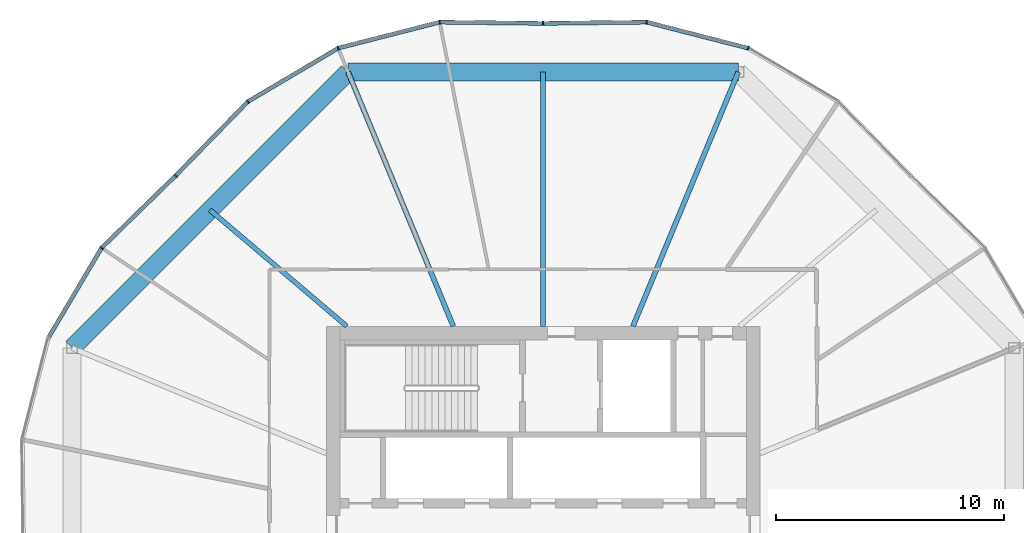
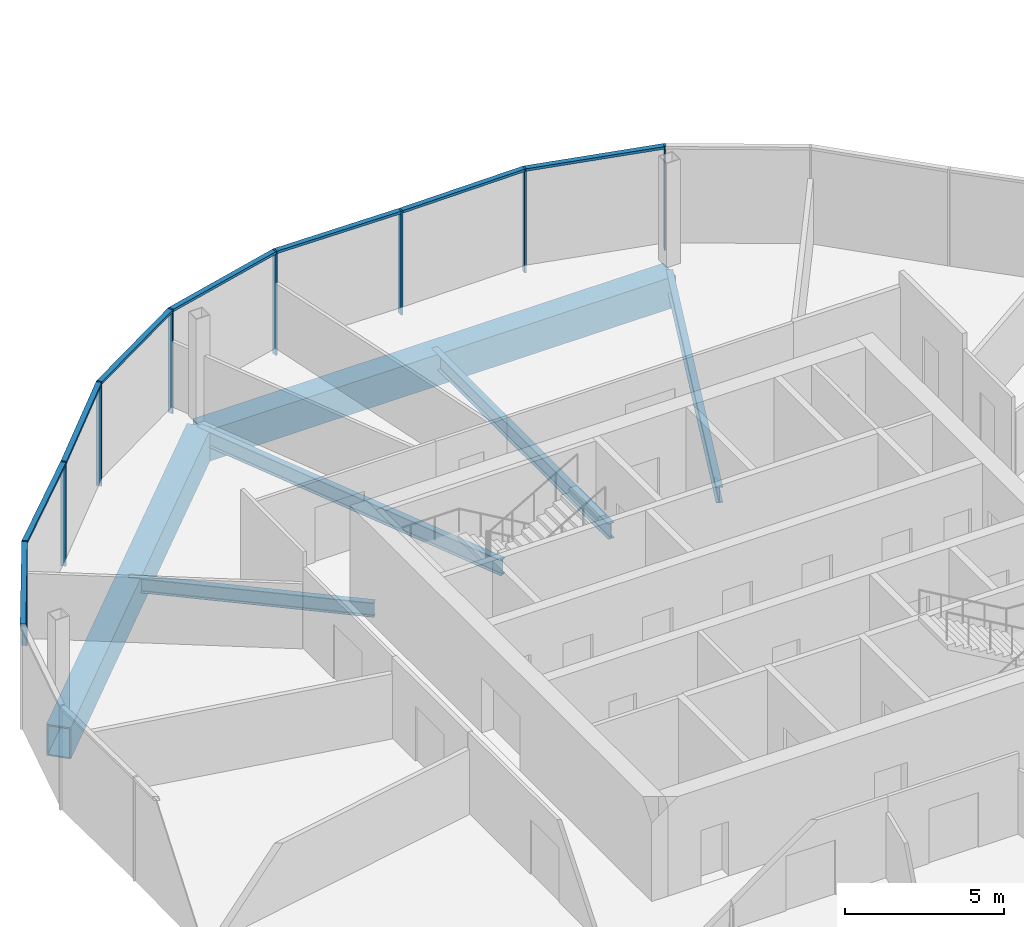
# One storey, part 9 of 25: 16 members, 6 beams, 3 elements without a shape of their own.
"""IFC4 building model written with IfcOpenShell, lengths in metres."""

from ifc_helpers import new_model, si_unit, direction, frame, origin, origin_2d, place, context, subcontext, project, spatial, rectangle, hollow_rectangle, i_section, extrude, material, material_profile, profile_set, type_object, element, aggregate, save


model = new_model("IFC4")

# Units and contexts
model_context = context("Model", 3, precision=1e-05, world=origin(), true_north=direction((0.0, 1.0)))
body_context = subcontext(model_context, "Body", "Model", "MODEL_VIEW")
ifc_project = project(units=[si_unit("LENGTHUNIT", "METRE"), si_unit("AREAUNIT", "SQUARE_METRE"), si_unit("VOLUMEUNIT", "CUBIC_METRE"), si_unit("PLANEANGLEUNIT", "RADIAN"), si_unit("MASSUNIT", "GRAM", prefix="KILO")], contexts=[model_context])

# Site, building, storey
site_placement = place(None, origin())
site = spatial("IfcSite", under=ifc_project, at=site_placement, CompositionType="ELEMENT")
building_placement = place(site_placement, origin())
building = spatial("IfcBuilding", under=site, at=building_placement, Name="Ogive Gate Towers", CompositionType="ELEMENT")
storey_placement = place(building_placement, frame((0.0, 0.0, 140.800048828125)))
storey = spatial("IfcBuildingStorey", under=building, at=storey_placement, Name="L33", CompositionType="ELEMENT", Elevation=140.800048828125)

# Beams
ifc_material_1 = material(Name="Steel SM460", Category="steel")
ifc_material_profile_1 = material_profile(ifc_material_1, hollow_rectangle(XDim=0.800048828125, YDim=1.199951171875, WallThickness=0.050048828125, at=origin_2d()), Name="BX 1200x800x50")
ifc_profile_set_1 = profile_set([ifc_material_profile_1], Name="Steel SM460")
beam_type_1 = type_object("IfcBeamType", Name="Edge girder BX 1200x800x50", PredefinedType="BEAM", material=ifc_profile_set_1)
beam_1_placement = place(storey_placement, frame((-27.450927734375, 20.639404296875, -0.900146484375), z_axis=(-1.0, 0.0, 0.0), x_axis=(0.0, -1.0, 0.0)))
element("IfcBeam", 1, at=beam_1_placement, inside=storey, type_object=beam_type_1, Name="T1/L33/SBM022", PredefinedType="BEAM", context=body_context, shape_type="SweptSolid", body=[
    extrude(hollow_rectangle(XDim=0.800048828125, YDim=1.199951171875, WallThickness=0.050048828125, at=origin_2d()), origin(), (0.0, 0.0, 1.0), 17.09814453125),
])
beam_2_placement = place(storey_placement, frame((-44.549072265625, 20.639404296875, -0.900146484375), z_axis=(-0.707106781187, -0.707106781187, 0.0), x_axis=(0.707106781187, -0.707106781187, 0.0)))
element("IfcBeam", 2, at=beam_2_placement, inside=storey, type_object=beam_type_1, Name="T1/L33/SBM023", PredefinedType="BEAM", context=body_context, shape_type="SweptSolid", body=[
    extrude(hollow_rectangle(XDim=0.800048828125, YDim=1.199951171875, WallThickness=0.050048828125, at=origin_2d()), origin(), (0.0, 0.0, 1.0), 17.098388671875),
])
ifc_material_2 = material(Name="Steel SM355", Category="steel")
ifc_material_profile_2 = material_profile(ifc_material_2, i_section(OverallWidth=0.2099609375, OverallDepth=0.550048828125, WebThickness=0.010986328125, FlangeThickness=0.01708984375, FilletRadius=0.02392578125, at=origin_2d()), Name="IPE 550")
ifc_profile_set_2 = profile_set([ifc_material_profile_2], Name="Steel SM355")
beam_type_2 = type_object("IfcBeamType", Name="Radial floor beam IPE 550", PredefinedType="BEAM", material=ifc_profile_set_2)
beam_3_placement = place(storey_placement, frame((-44.60009765625, 9.5, -0.574951171875), z_axis=(-0.761988324045, 0.647590761222, 0.0), x_axis=(-0.647590761222, -0.761988324045, 0.0)))
element("IfcBeam", 3, at=beam_3_placement, inside=storey, type_object=beam_type_2, Name="T1/L33/SBM014", PredefinedType="BEAM", context=body_context, shape_type="SweptSolid", body=[
    extrude(i_section(OverallWidth=0.2099609375, OverallDepth=0.550048828125, WebThickness=0.010986328125, FlangeThickness=0.01708984375, FilletRadius=0.02392578125, at=origin_2d()), origin(), (0.0, 0.0, 1.0), 7.866455078125),
])
ifc_material_profile_3 = material_profile(ifc_material_2, i_section(OverallWidth=0.219970703125, OverallDepth=0.60009765625, WebThickness=0.011962890625, FlangeThickness=0.01904296875, FilletRadius=0.02392578125, at=origin_2d()), Name="IPE 600")
ifc_profile_set_3 = profile_set([ifc_material_profile_3], Name="Steel SM355")
beam_type_3 = type_object("IfcBeamType", Name="Radial floor beam IPE 600", PredefinedType="BEAM", material=ifc_profile_set_3)
beam_4_placement = place(storey_placement, frame((-32.06494140625, 9.5, -0.60009765625), z_axis=(0.382677863518, 0.923881839184, 0.0), x_axis=(-0.923881839184, 0.382677863518, 0.0)))
element("IfcBeam", 4, at=beam_4_placement, inside=storey, type_object=beam_type_3, Name="T1/L33/SBM011", PredefinedType="BEAM", context=body_context, shape_type="SweptSolid", body=[
    extrude(i_section(OverallWidth=0.219970703125, OverallDepth=0.60009765625, WebThickness=0.011962890625, FlangeThickness=0.01904296875, FilletRadius=0.02392578125, at=origin_2d()), origin(), (0.0, 0.0, 1.0), 12.05712890625),
])
beam_5_placement = place(storey_placement, frame((-36.0, 9.5, -0.60009765625), z_axis=(0.0, 1.0, 0.0), x_axis=(-1.0, 0.0, 0.0)))
element("IfcBeam", 5, at=beam_5_placement, inside=storey, type_object=beam_type_3, Name="T1/L33/SBM012", PredefinedType="BEAM", context=body_context, shape_type="SweptSolid", body=[
    extrude(i_section(OverallWidth=0.219970703125, OverallDepth=0.60009765625, WebThickness=0.011962890625, FlangeThickness=0.01904296875, FilletRadius=0.02392578125, at=origin_2d()), origin(), (0.0, 0.0, 1.0), 11.139404296875),
])
beam_6_placement = place(storey_placement, frame((-39.93505859375, 9.5, -0.60009765625), z_axis=(-0.382677863518, 0.923881839184, 0.0), x_axis=(-0.923881839184, -0.382677863518, 0.0)))
element("IfcBeam", 6, at=beam_6_placement, inside=storey, type_object=beam_type_3, Name="T1/L33/SBM013", PredefinedType="BEAM", context=body_context, shape_type="SweptSolid", body=[
    extrude(i_section(OverallWidth=0.219970703125, OverallDepth=0.60009765625, WebThickness=0.011962890625, FlangeThickness=0.01904296875, FilletRadius=0.02392578125, at=origin_2d()), origin(), (0.0, 0.0, 1.0), 12.05712890625),
])

# Curtain wall, members
ifc_material_3 = material(Name="Pale metal aluminium", Category="aluminium")
curtain_wall_type = type_object("IfcCurtainWallType", Name="Tower unitised wall, high zone", PredefinedType="NOTDEFINED", material=ifc_material_3)
curtain_wall_1_placement = place(storey_placement, origin())
curtain_wall_1 = element("IfcCurtainWall", 7, at=curtain_wall_1_placement, inside=storey, type_object=curtain_wall_type, Name="CW2 T1 ECW02", PredefinedType="NOTDEFINED")
ifc_material_profile_4 = material_profile(ifc_material_3, rectangle(XDim=0.179931640625, YDim=0.06005859375, at=origin_2d()), Name="60 x 180 aluminium box")
ifc_profile_set_4 = profile_set([ifc_material_profile_4], Name="Pale metal aluminium")
member_type_1 = type_object("IfcMemberType", Name="Tower unitised wall, high zone mullion 60 x 180", PredefinedType="MULLION", material=ifc_profile_set_4)
member_1_placement = place(storey_placement, frame((-27.01806640625, 21.684326171875, -0.300048828125), z_axis=(0.0, 0.0, 1.0), x_axis=(0.382683432365, 0.923879532511, 0.0)))
member_1 = element("IfcMember", 8, at=member_1_placement, type_object=member_type_1, Name="CW2 mullion", PredefinedType="MULLION", context=body_context, shape_type="SweptSolid", body=[
    extrude(rectangle(XDim=0.179931640625, YDim=0.06005859375, at=origin_2d()), origin(), (0.0, 0.0, 1.0), 4.0),
])
member_2_placement = place(storey_placement, frame((-31.467041015625, 22.824951171875, -0.300048828125), z_axis=(0.0, 0.0, 1.0), x_axis=(0.119149147143, 0.992876367296, 0.0)))
member_2 = element("IfcMember", 9, at=member_2_placement, type_object=member_type_1, Name="CW2 mullion", PredefinedType="MULLION", context=body_context, shape_type="SweptSolid", body=[
    extrude(rectangle(XDim=0.179931640625, YDim=0.06005859375, at=origin_2d()), origin(), (0.0, 0.0, 1.0), 4.0),
])
member_3_placement = place(storey_placement, frame((-36.0, 22.77001953125, -0.300048828125), z_axis=(0.0, 0.0, 1.0), x_axis=(-0.012077384797, 0.999927065729, 0.0)))
member_3 = element("IfcMember", 10, at=member_3_placement, type_object=member_type_1, Name="CW2 mullion", PredefinedType="MULLION", context=body_context, shape_type="SweptSolid", body=[
    extrude(rectangle(XDim=0.179931640625, YDim=0.06005859375, at=origin_2d()), origin(), (0.0, 0.0, 1.0), 4.0),
])

curtain_wall_2_placement = place(storey_placement, origin())
curtain_wall_2 = element("IfcCurtainWall", 11, at=curtain_wall_2_placement, inside=storey, type_object=curtain_wall_type, Name="CW2 T1 ECW03", PredefinedType="NOTDEFINED")
member_4_placement = place(storey_placement, frame((-40.532958984375, 22.824951171875, -0.300048828125), z_axis=(0.0, 0.0, 1.0), x_axis=(-0.119149147143, 0.992876367296, 0.0)))
member_4 = element("IfcMember", 12, at=member_4_placement, type_object=member_type_1, Name="CW2 mullion", PredefinedType="MULLION", context=body_context, shape_type="SweptSolid", body=[
    extrude(rectangle(XDim=0.179931640625, YDim=0.06005859375, at=origin_2d()), origin(), (0.0, 0.0, 1.0), 4.0),
])
member_5_placement = place(storey_placement, frame((-44.98193359375, 21.684326171875, -0.300048828125), z_axis=(0.0, 0.0, 1.0), x_axis=(-0.382683432365, 0.923879532511, 0.0)))
member_5 = element("IfcMember", 13, at=member_5_placement, type_object=member_type_1, Name="CW2 mullion", PredefinedType="MULLION", context=body_context, shape_type="SweptSolid", body=[
    extrude(rectangle(XDim=0.179931640625, YDim=0.06005859375, at=origin_2d()), origin(), (0.0, 0.0, 1.0), 4.0),
])
member_6_placement = place(storey_placement, frame((-48.93408203125, 19.344970703125, -0.300048828125), z_axis=(0.0, 0.0, 1.0), x_axis=(-0.617818442277, 0.786320782112, 0.0)))
member_6 = element("IfcMember", 14, at=member_6_placement, type_object=member_type_1, Name="CW2 mullion", PredefinedType="MULLION", context=body_context, shape_type="SweptSolid", body=[
    extrude(rectangle(XDim=0.179931640625, YDim=0.06005859375, at=origin_2d()), origin(), (0.0, 0.0, 1.0), 4.0),
])
member_7_placement = place(storey_placement, frame((-52.1005859375, 16.100830078125, -0.300048828125), z_axis=(0.0, 0.0, 1.0), x_axis=(-0.715595209557, 0.69851520818, 0.0)))
member_7 = element("IfcMember", 15, at=member_7_placement, type_object=member_type_1, Name="CW2 mullion", PredefinedType="MULLION", context=body_context, shape_type="SweptSolid", body=[
    extrude(rectangle(XDim=0.179931640625, YDim=0.06005859375, at=origin_2d()), origin(), (0.0, 0.0, 1.0), 4.0),
])

# Curtain wall, member
curtain_wall_3_placement = place(storey_placement, origin())
curtain_wall_3 = element("IfcCurtainWall", 16, at=curtain_wall_3_placement, inside=storey, type_object=curtain_wall_type, Name="CW2 T1 ECW04", PredefinedType="NOTDEFINED")
member_8_placement = place(storey_placement, frame((-55.344970703125, 12.93408203125, -0.300048828125), z_axis=(0.0, 0.0, 1.0), x_axis=(-0.786320782112, 0.617818442277, 0.0)))
member_8 = element("IfcMember", 17, at=member_8_placement, type_object=member_type_1, Name="CW2 mullion", PredefinedType="MULLION", context=body_context, shape_type="SweptSolid", body=[
    extrude(rectangle(XDim=0.179931640625, YDim=0.06005859375, at=origin_2d()), origin(), (0.0, 0.0, 1.0), 4.0),
])

# Member
ifc_material_profile_5 = material_profile(ifc_material_3, rectangle(XDim=0.179931640625, YDim=0.10009765625, at=origin_2d()), Name="100 x 180 aluminium box")
ifc_profile_set_5 = profile_set([ifc_material_profile_5], Name="Pale metal aluminium")
member_type_2 = type_object("IfcMemberType", Name="Tower unitised wall, high zone transom 100 x 180", PredefinedType="USERDEFINED", material=ifc_profile_set_5)
member_9_placement = place(storey_placement, frame((-27.045654296875, 21.69140625, 3.64990234375), z_axis=(-0.968681463012, 0.248306711985, 0.0), x_axis=(-0.248306711985, -0.968681463012, 0.0)))
member_9 = element("IfcMember", 18, at=member_9_placement, type_object=member_type_2, Name="CW2 transom", ObjectType="TRANSOM", PredefinedType="USERDEFINED", context=body_context, shape_type="SweptSolid", body=[
    extrude(rectangle(XDim=0.179931640625, YDim=0.10009765625, at=origin_2d()), origin(), (0.0, 0.0, 1.0), 4.53564453125),
])

member_10_placement = place(storey_placement, frame((-31.49560546875, 22.824462890625, 3.64990234375), z_axis=(-0.999927301671, -0.012057834543, 0.0), x_axis=(0.012057834543, -0.999927301671, 0.0)))
member_10 = element("IfcMember", 19, at=member_10_placement, type_object=member_type_2, Name="CW2 transom", ObjectType="TRANSOM", PredefinedType="USERDEFINED", context=body_context, shape_type="SweptSolid", body=[
    extrude(rectangle(XDim=0.179931640625, YDim=0.10009765625, at=origin_2d()), origin(), (0.0, 0.0, 1.0), 4.474609375),
])

aggregate(curtain_wall_1, [member_1, member_2, member_9, member_3, member_10])

member_11_placement = place(storey_placement, frame((-36.030029296875, 22.7705078125, 3.64990234375), z_axis=(-0.999927301671, 0.012057834543, 0.0), x_axis=(-0.012057834543, -0.999927301671, 0.0)))
member_11 = element("IfcMember", 20, at=member_11_placement, type_object=member_type_2, Name="CW2 transom", ObjectType="TRANSOM", PredefinedType="USERDEFINED", context=body_context, shape_type="SweptSolid", body=[
    extrude(rectangle(XDim=0.179931640625, YDim=0.10009765625, at=origin_2d()), origin(), (0.0, 0.0, 1.0), 4.474609375),
])

member_12_placement = place(storey_placement, frame((-40.560791015625, 22.817626953125, 3.64990234375), z_axis=(-0.968681463012, -0.248306711985, 0.0), x_axis=(0.248306711985, -0.968681463012, 0.0)))
member_12 = element("IfcMember", 21, at=member_12_placement, type_object=member_type_2, Name="CW2 transom", ObjectType="TRANSOM", PredefinedType="USERDEFINED", context=body_context, shape_type="SweptSolid", body=[
    extrude(rectangle(XDim=0.179931640625, YDim=0.10009765625, at=origin_2d()), origin(), (0.0, 0.0, 1.0), 4.53564453125),
])

member_13_placement = place(storey_placement, frame((-45.006591796875, 21.669677734375, 3.64990234375), z_axis=(-0.860555494725, -0.509356692799, 0.0), x_axis=(0.509356692799, -0.860555494725, 0.0)))
member_13 = element("IfcMember", 22, at=member_13_placement, type_object=member_type_2, Name="CW2 transom", ObjectType="TRANSOM", PredefinedType="USERDEFINED", context=body_context, shape_type="SweptSolid", body=[
    extrude(rectangle(XDim=0.179931640625, YDim=0.10009765625, at=origin_2d()), origin(), (0.0, 0.0, 1.0), 4.53515625),
])

member_14_placement = place(storey_placement, frame((-48.9541015625, 19.32421875, 3.64990234375), z_axis=(-0.698544041781, -0.715567063029, 0.0), x_axis=(0.715567063029, -0.698544041781, 0.0)))
member_14 = element("IfcMember", 23, at=member_14_placement, type_object=member_type_2, Name="CW2 transom", ObjectType="TRANSOM", PredefinedType="USERDEFINED", context=body_context, shape_type="SweptSolid", body=[
    extrude(rectangle(XDim=0.179931640625, YDim=0.10009765625, at=origin_2d()), origin(), (0.0, 0.0, 1.0), 4.474609375),
])

aggregate(curtain_wall_2, [member_4, member_11, member_5, member_12, member_6, member_13, member_7, member_14])

member_15_placement = place(storey_placement, frame((-52.122314453125, 16.079833984375, 3.64990234375), z_axis=(-0.715567063029, -0.698544041781, 0.0), x_axis=(0.698544041781, -0.715567063029, 0.0)))
member_15 = element("IfcMember", 24, at=member_15_placement, type_object=member_type_2, Name="CW2 transom", ObjectType="TRANSOM", PredefinedType="USERDEFINED", context=body_context, shape_type="SweptSolid", body=[
    extrude(rectangle(XDim=0.179931640625, YDim=0.10009765625, at=origin_2d()), origin(), (0.0, 0.0, 1.0), 4.474609375),
])

member_16_placement = place(storey_placement, frame((-55.359619140625, 12.909423828125, 3.64990234375), z_axis=(-0.509356692799, -0.860555494725, 0.0), x_axis=(0.860555494725, -0.509356692799, 0.0)))
member_16 = element("IfcMember", 25, at=member_16_placement, type_object=member_type_2, Name="CW2 transom", ObjectType="TRANSOM", PredefinedType="USERDEFINED", context=body_context, shape_type="SweptSolid", body=[
    extrude(rectangle(XDim=0.179931640625, YDim=0.10009765625, at=origin_2d()), origin(), (0.0, 0.0, 1.0), 4.53515625),
])

aggregate(curtain_wall_3, [member_8, member_15, member_16])

save(model, "model.ifc")
